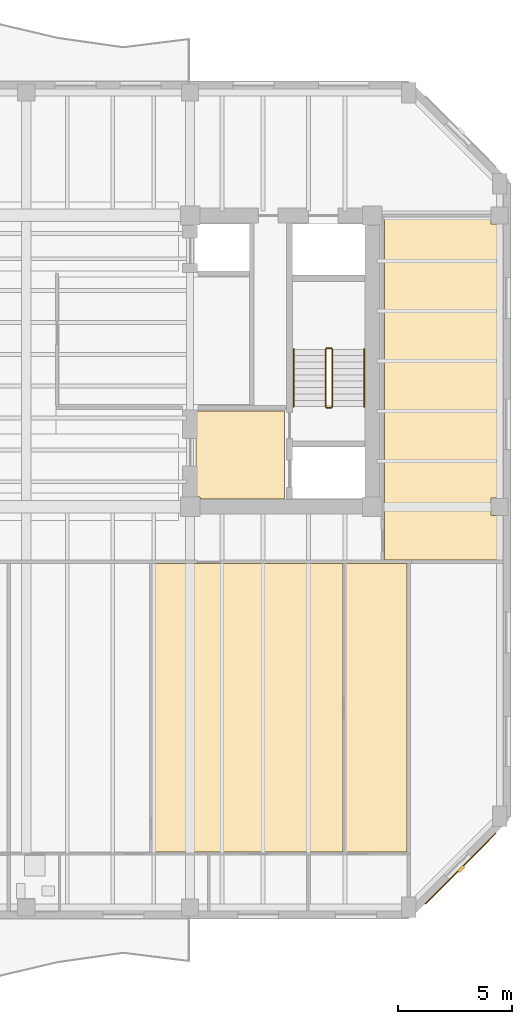
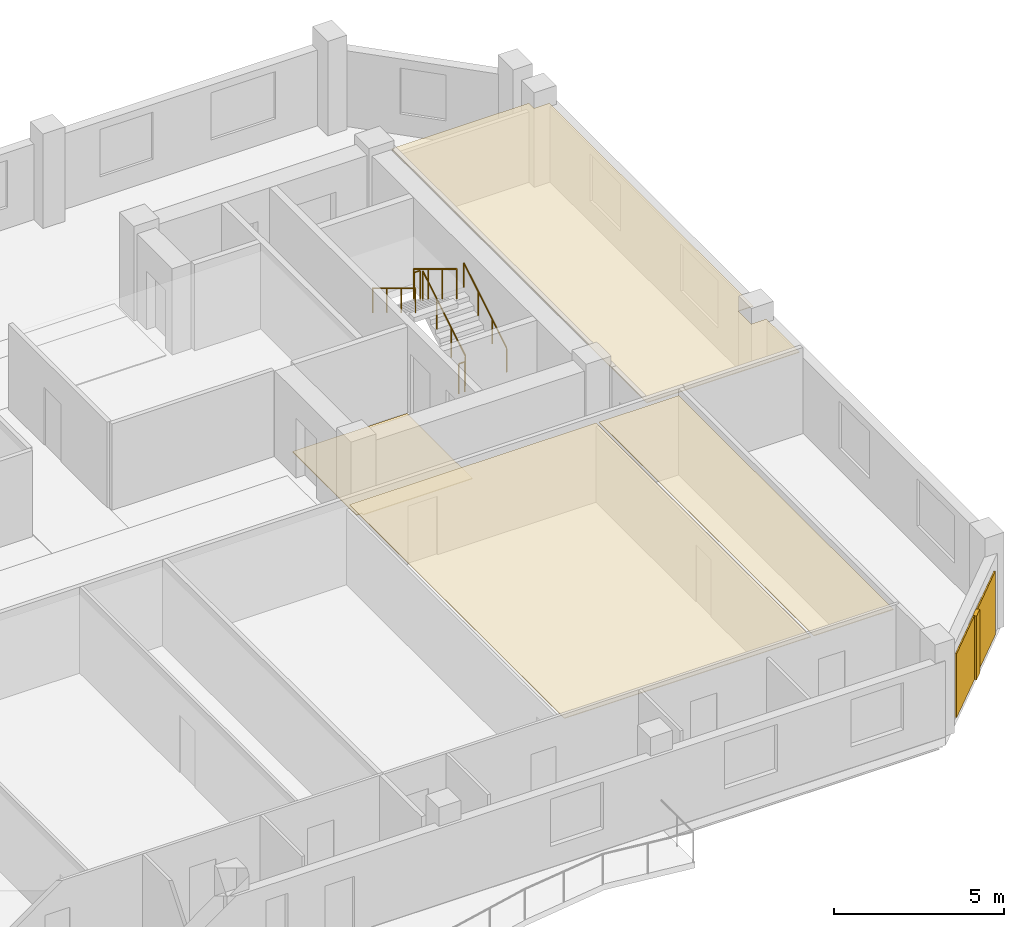
# One storey, part 8 of 10: 6 railings, 5 coverings, 1 shading device.
"""IFC4 building model written with IfcOpenShell, lengths in metres."""

from ifc_helpers import new_model, si_unit, direction, frame, origin, origin_2d, place, context, subcontext, project, spatial, polyline, rectangle, circle, outline, extrude, material, layer, layer_set, type_object, element, save


model = new_model("IFC4")

# Units and contexts
model_context = context("Model", 3, precision=1e-05, world=origin(), true_north=direction((0.0, 1.0)))
body_context = subcontext(model_context, "Body", "Model", "MODEL_VIEW")
ifc_project = project(units=[si_unit("LENGTHUNIT", "METRE"), si_unit("AREAUNIT", "SQUARE_METRE"), si_unit("VOLUMEUNIT", "CUBIC_METRE"), si_unit("PLANEANGLEUNIT", "RADIAN"), si_unit("MASSUNIT", "GRAM", prefix="KILO")], contexts=[model_context])

# Site, building, storey
site_placement = place(None, origin())
site = spatial("IfcSite", under=ifc_project, at=site_placement, CompositionType="ELEMENT")
building_placement = place(site_placement, origin())
building = spatial("IfcBuilding", under=site, at=building_placement, Name="Kranthara Brick Stack", CompositionType="ELEMENT")
storey_placement = place(building_placement, frame((0.0, 0.0, 214.300048828125)))
storey = spatial("IfcBuildingStorey", under=building, at=storey_placement, Name="L55", CompositionType="ELEMENT", Elevation=214.300048828125)

# Coverings
ifc_material_1 = material(Name="Perforated mineral-fibre acoustic ceiling tile", Category="other")
ifc_layer_1 = layer(ifc_material_1, 0.02490234375)
ifc_layer_set_1 = layer_set([ifc_layer_1], Name="Perforated mineral-fibre acoustic ceiling tile")
covering_type_1 = type_object("IfcCoveringType", Name="COV-CEIL-ACOUSTIC", PredefinedType="CEILING", material=ifc_layer_set_1)
covering_1_placement = place(storey_placement, frame((0.0, 0.0, 2.829833984375)))
element("IfcCovering", 1, at=covering_1_placement, inside=storey, type_object=covering_type_1, Name="L55 Unit L55B Bedroom 3 Acoustic Ceiling", PredefinedType="CEILING", context=body_context, shape_type="SweptSolid", body=[
    extrude(outline(polyline([(44.719970703125, 5.6298828125), (44.719970703125, 18.300048828125), (42.008056640625, 18.300048828125), (42.008056640625, 5.6298828125), (44.719970703125, 5.6298828125)])), origin(), (0.0, 0.0, 1.0), 0.025146484375),
])
covering_2_placement = place(storey_placement, frame((0.0, 0.0, 2.829833984375)))
element("IfcCovering", 2, at=covering_2_placement, inside=storey, type_object=covering_type_1, Name="L55 Unit L55B Private Study Room Acoustic Ceiling", PredefinedType="CEILING", context=body_context, shape_type="SweptSolid", body=[
    extrude(outline(polyline([(41.907958984375, 5.6298828125), (41.907958984375, 18.300048828125), (33.52001953125, 18.300048828125), (33.52001953125, 5.6298828125), (41.907958984375, 5.6298828125)])), origin(), (0.0, 0.0, 1.0), 0.025146484375),
])
covering_3_placement = place(storey_placement, frame((0.0, 0.0, 2.829833984375)))
element("IfcCovering", 3, at=covering_3_placement, inside=storey, type_object=covering_type_1, Name="L55 L55 East Panoramic Sky Conservatory Acoustic Ceiling", PredefinedType="CEILING", context=body_context, shape_type="SweptSolid", body=[
    extrude(outline(polyline([(43.72998046875, 18.4599609375), (43.72998046875, 33.52001953125), (48.4150390625, 33.52001953125), (48.4150390625, 33.215087890625), (48.929931640625, 33.215087890625), (48.929931640625, 21.18505859375), (48.4150390625, 21.18505859375), (48.4150390625, 20.4150390625), (48.929931640625, 20.4150390625), (48.929931640625, 18.4599609375), (43.72998046875, 18.4599609375)])), origin(), (0.0, 0.0, 1.0), 0.025146484375),
])
ifc_material_2 = material(Name="Warm buff kiln-fired brick slip rainscreen", Category="masonry")
ifc_layer_2 = layer(ifc_material_2, 0.044921875)
ifc_layer_set_2 = layer_set([ifc_layer_2], Name="Warm buff kiln-fired brick slip rainscreen")
covering_type_2 = type_object("IfcCoveringType", Name="COV-CLAD-BRICK", PredefinedType="CLADDING", material=ifc_layer_set_2)
covering_4_placement = place(storey_placement, frame((47.08740234375, 4.91259765625, 0.0498046875), z_axis=(0.0, 0.0, 1.0), x_axis=(-0.707106781187, -0.707106781187, 0.0)))
element("IfcCovering", 4, at=covering_4_placement, inside=storey, type_object=covering_type_2, Name="L55 Chamfer Brick Rainscreen Cladding SE", PredefinedType="CLADDING", context=body_context, shape_type="SweptSolid", body=[
    extrude(rectangle(XDim=4.39892578125, YDim=0.044921875, at=origin_2d()), origin(), (0.0, 0.0, 1.0), 2.300048828125),
])
ifc_material_3 = material(Name="Honed terrazzo and porcelain floor finish", Category="stone")
ifc_layer_3 = layer(ifc_material_3, 0.030029296875)
ifc_layer_set_3 = layer_set([ifc_layer_3], Name="Honed terrazzo and porcelain floor finish")
covering_type_3 = type_object("IfcCoveringType", Name="COV-FLOR-STONE", PredefinedType="FLOORING", material=ifc_layer_set_3)
covering_5_placement = place(storey_placement, origin())
element("IfcCovering", 5, at=covering_5_placement, inside=storey, type_object=covering_type_3, Name="L55 Lift Lobby Stone Flooring", PredefinedType="FLOORING", context=body_context, shape_type="SweptSolid", body=[
    extrude(outline(polyline([(35.449951171875, 25.0), (39.35009765625, 25.0), (39.35009765625, 21.14990234375), (35.635009765625, 21.14990234375), (35.635009765625, 21.235107421875), (35.449951171875, 21.235107421875), (35.449951171875, 25.0)])), origin(), (0.0, 0.0, 1.0), 0.030029296875),
])

# Railings
ifc_material_4 = material(Name="Painted galvanized steel stair guardrail", Category="steel")
railing_type_1 = type_object("IfcRailingType", Name="RL-STAIR-GUARD-1100", PredefinedType="GUARDRAIL", material=ifc_material_4)
railing_1_placement = place(storey_placement, frame((41.449951171875, 25.199951171875, 0.169921875)))
element("IfcRailing", 6, at=railing_1_placement, inside=storey, type_object=railing_type_1, Name="L55 ST02 stair guard 1", PredefinedType="GUARDRAIL", context=body_context, shape_type="SweptSolid", body=[
    extrude(circle(Radius=0.02392578125, at=origin_2d()), frame((0.0, 0.0, 1.076171875), z_axis=(0.0, 0.85478489116, 0.518982456201), x_axis=(-1.0, 0.0, 0.0)), (0.0, 0.0, 1.0), 2.9482421875),
    extrude(circle(Radius=0.02099609375, at=origin_2d()), origin(), (0.0, 0.0, 1.0), 1.052001953125),
    extrude(circle(Radius=0.02099609375, at=origin_2d()), frame((0.0, 0.840087890625, 0.510009765625)), (0.0, 0.0, 1.0), 1.052001953125),
    extrude(circle(Radius=0.02099609375, at=origin_2d()), frame((0.0, 1.679931640625, 1.02001953125)), (0.0, 0.0, 1.0), 1.052001953125),
    extrude(circle(Radius=0.02099609375, at=origin_2d()), frame((0.0, 2.52001953125, 1.530029296875)), (0.0, 0.0, 1.0), 1.052001953125),
])
railing_2_placement = place(storey_placement, frame((41.39990234375, 27.77001953125, 1.699951171875)))
element("IfcRailing", 7, at=railing_2_placement, inside=storey, type_object=railing_type_1, Name="L55 ST02 stair guard 2", PredefinedType="GUARDRAIL", context=body_context, shape_type="SweptSolid", body=[
    extrude(circle(Radius=0.02392578125, at=origin_2d()), frame((0.0, 0.0, 1.076171875), z_axis=(-1.0, 0.0, 0.0), x_axis=(0.0, -1.0, 0.0)), (0.0, 0.0, 1.0), 0.199951171875),
    extrude(circle(Radius=0.02099609375, at=origin_2d()), origin(), (0.0, 0.0, 1.0), 1.052001953125),
    extrude(circle(Radius=0.02099609375, at=origin_2d()), frame((-0.199951171875, 0.0, 0.0)), (0.0, 0.0, 1.0), 1.052001953125),
])
railing_3_placement = place(storey_placement, frame((41.14990234375, 27.719970703125, 1.869873046875)))
element("IfcRailing", 8, at=railing_3_placement, inside=storey, type_object=railing_type_1, Name="L55 ST02 stair guard 3", PredefinedType="GUARDRAIL", context=body_context, shape_type="SweptSolid", body=[
    extrude(circle(Radius=0.02392578125, at=origin_2d()), frame((0.0, 0.0, 1.076171875), z_axis=(0.0, -0.85478489116, 0.518982456201), x_axis=(1.0, 0.0, 0.0)), (0.0, 0.0, 1.0), 2.9482421875),
    extrude(circle(Radius=0.02099609375, at=origin_2d()), origin(), (0.0, 0.0, 1.0), 1.052001953125),
    extrude(circle(Radius=0.02099609375, at=origin_2d()), frame((0.0, -0.840087890625, 0.510009765625)), (0.0, 0.0, 1.0), 1.052001953125),
    extrude(circle(Radius=0.02099609375, at=origin_2d()), frame((0.0, -1.679931640625, 1.02001953125)), (0.0, 0.0, 1.0), 1.052001953125),
    extrude(circle(Radius=0.02099609375, at=origin_2d()), frame((0.0, -2.52001953125, 1.530029296875)), (0.0, 0.0, 1.0), 1.052001953125),
])
railing_4_placement = place(storey_placement, frame((41.39990234375, 25.14990234375, 0.0)))
element("IfcRailing", 9, at=railing_4_placement, inside=storey, type_object=railing_type_1, Name="L55 ST02 stair guard 4", PredefinedType="GUARDRAIL", context=body_context, shape_type="SweptSolid", body=[
    extrude(circle(Radius=0.02392578125, at=origin_2d()), frame((0.0, 0.0, 1.076171875), z_axis=(-1.0, 0.0, 0.0), x_axis=(0.0, -1.0, 0.0)), (0.0, 0.0, 1.0), 0.199951171875),
    extrude(circle(Radius=0.02099609375, at=origin_2d()), origin(), (0.0, 0.0, 1.0), 1.052001953125),
    extrude(circle(Radius=0.02099609375, at=origin_2d()), frame((-0.199951171875, 0.0, 0.0)), (0.0, 0.0, 1.0), 1.052001953125),
])
ifc_material_5 = material(Name="Brushed stainless steel tubular handrail", Category="steel")
railing_type_2 = type_object("IfcRailingType", Name="RL-STAIR-HAND-900", PredefinedType="HANDRAIL", material=ifc_material_5)
railing_5_placement = place(storey_placement, frame((42.85009765625, 25.199951171875, 0.169921875)))
element("IfcRailing", 10, at=railing_5_placement, inside=storey, type_object=railing_type_2, Name="L55 ST02 stair handrail 1", PredefinedType="HANDRAIL", context=body_context, shape_type="SweptSolid", body=[
    extrude(circle(Radius=0.02392578125, at=origin_2d()), frame((0.0, 0.0, 0.8759765625), z_axis=(0.0, 0.85478489116, 0.518982456201), x_axis=(-1.0, 0.0, 0.0)), (0.0, 0.0, 1.0), 2.9482421875),
    extrude(circle(Radius=0.02099609375, at=origin_2d()), origin(), (0.0, 0.0, 1.0), 0.851806640625),
    extrude(circle(Radius=0.02099609375, at=origin_2d()), frame((0.0, 0.840087890625, 0.510009765625)), (0.0, 0.0, 1.0), 0.851806640625),
    extrude(circle(Radius=0.02099609375, at=origin_2d()), frame((0.0, 1.679931640625, 1.02001953125)), (0.0, 0.0, 1.0), 0.851806640625),
    extrude(circle(Radius=0.02099609375, at=origin_2d()), frame((0.0, 2.52001953125, 1.530029296875)), (0.0, 0.0, 1.0), 0.851806640625),
])
railing_6_placement = place(storey_placement, frame((39.75, 27.719970703125, 1.869873046875)))
element("IfcRailing", 11, at=railing_6_placement, inside=storey, type_object=railing_type_2, Name="L55 ST02 stair handrail 2", PredefinedType="HANDRAIL", context=body_context, shape_type="SweptSolid", body=[
    extrude(circle(Radius=0.02392578125, at=origin_2d()), frame((0.0, 0.0, 0.8759765625), z_axis=(0.0, -0.85478489116, 0.518982456201), x_axis=(1.0, 0.0, 0.0)), (0.0, 0.0, 1.0), 2.9482421875),
    extrude(circle(Radius=0.02099609375, at=origin_2d()), origin(), (0.0, 0.0, 1.0), 0.851806640625),
    extrude(circle(Radius=0.02099609375, at=origin_2d()), frame((0.0, -0.840087890625, 0.510009765625)), (0.0, 0.0, 1.0), 0.851806640625),
    extrude(circle(Radius=0.02099609375, at=origin_2d()), frame((0.0, -1.679931640625, 1.02001953125)), (0.0, 0.0, 1.0), 0.851806640625),
    extrude(circle(Radius=0.02099609375, at=origin_2d()), frame((0.0, -2.52001953125, 1.530029296875)), (0.0, 0.0, 1.0), 0.851806640625),
])

# Shading device
ifc_material_6 = material(Name="Kiln-fired terracotta aerodynamic wind fin", Category="masonry")
shading_device_type = type_object("IfcShadingDeviceType", Name="SHD-BAFFLE-CORNER", PredefinedType="SHUTTER", material=ifc_material_6)
shading_device_placement = place(storey_placement, frame((47.1083984375, 4.8916015625, 0.0498046875), z_axis=(0.0, 0.0, 1.0), x_axis=(-0.707106781187, -0.707106781187, 0.0)))
element("IfcShadingDevice", 12, at=shading_device_placement, inside=storey, type_object=shading_device_type, Name="L55 Chamfer Wind-Baffle Fin SE", PredefinedType="SHUTTER", context=body_context, shape_type="SweptSolid", body=[
    extrude(rectangle(XDim=0.35009765625, YDim=0.1201171875, at=origin_2d()), origin(), (0.0, 0.0, 1.0), 2.300048828125),
])

save(model, "model.ifc")
